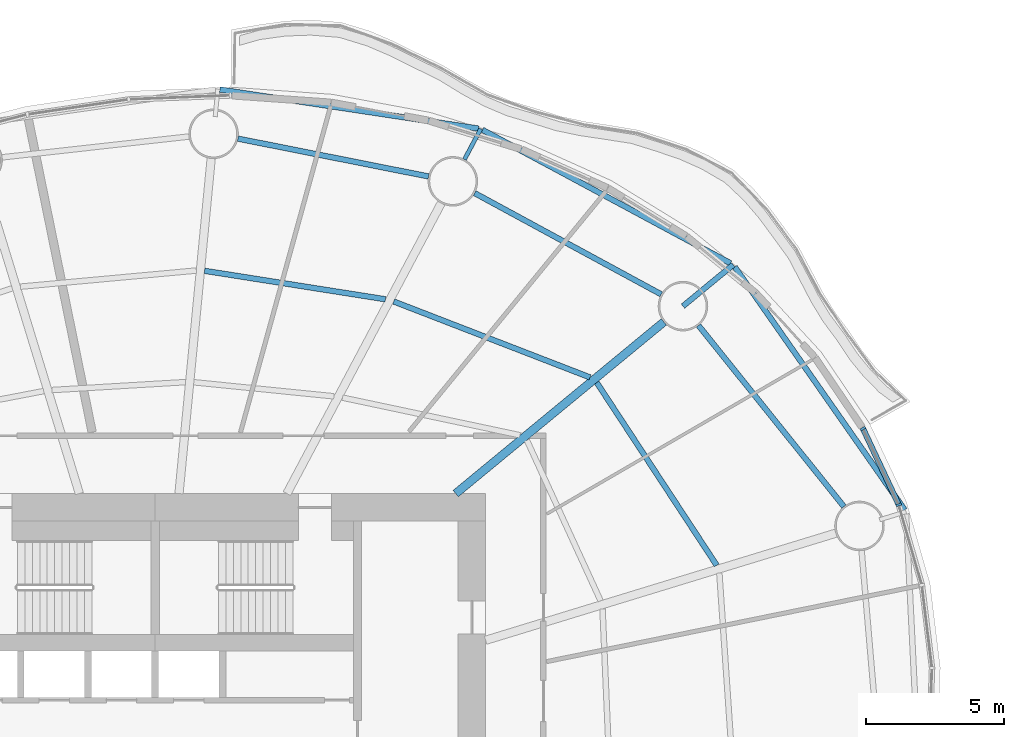
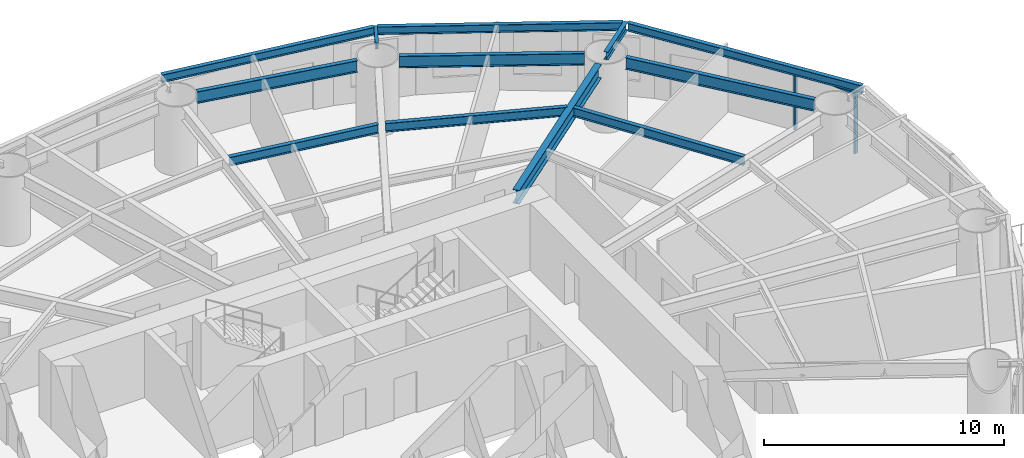
# One storey, part 6 of 16: 12 beams, 3 members, 1 element without a shape of its own.
"""IFC4 building model written with IfcOpenShell, lengths in metres."""

from ifc_helpers import new_model, si_unit, direction, frame, origin, origin_2d, place, context, subcontext, project, spatial, rectangle, i_section, extrude, material, material_profile, profile_set, type_object, element, aggregate, save


model = new_model("IFC4")

# Units and contexts
model_context = context("Model", 3, precision=1e-05, world=origin(), true_north=direction((0.0, 1.0)))
body_context = subcontext(model_context, "Body", "Model", "MODEL_VIEW")
ifc_project = project(units=[si_unit("LENGTHUNIT", "METRE"), si_unit("AREAUNIT", "SQUARE_METRE"), si_unit("VOLUMEUNIT", "CUBIC_METRE"), si_unit("PLANEANGLEUNIT", "RADIAN"), si_unit("MASSUNIT", "GRAM", prefix="KILO")], contexts=[model_context])

# Site, building, storey
site_placement = place(None, origin())
site = spatial("IfcSite", under=ifc_project, at=site_placement, CompositionType="ELEMENT")
building_placement = place(site_placement, origin())
building = spatial("IfcBuilding", under=site, at=building_placement, Name="Vermilion Reach Broadcast Tower", CompositionType="ELEMENT")
storey_placement = place(building_placement, frame((0.0, 0.0, 80.39990234375)))
storey = spatial("IfcBuildingStorey", under=building, at=storey_placement, Name="L17", CompositionType="ELEMENT", Elevation=80.39990234375)

# Beams
ifc_material_1 = material(Name="Steel S355J2", Category="steel")
ifc_material_profile_1 = material_profile(ifc_material_1, i_section(OverallWidth=0.199951171875, OverallDepth=0.39990234375, WebThickness=0.008056640625, FlangeThickness=0.012939453125, at=origin_2d()), Name="S355J2 HN 400x200x8x13")
ifc_profile_set_1 = profile_set([ifc_material_profile_1], Name="Steel S355J2")
beam_type_1 = type_object("IfcBeamType", Name="EB1 HN 400x200x8x13", PredefinedType="BEAM", material=ifc_profile_set_1)
beam_1_placement = place(storey_placement, frame((21.218505859375, 8.405029296875, 3.300048828125), z_axis=(-0.573165524951, 0.81943961401, 0.0), x_axis=(-0.81943961401, -0.573165524951, 0.0)))
element("IfcBeam", 1, at=beam_1_placement, inside=storey, type_object=beam_type_1, Name="Edge beam EB1-01", PredefinedType="BEAM", context=body_context, shape_type="SweptSolid", body=[
    extrude(i_section(OverallWidth=0.199951171875, OverallDepth=0.39990234375, WebThickness=0.008056640625, FlangeThickness=0.012939453125, at=origin_2d()), origin(), (0.0, 0.0, 1.0), 10.765869140625),
])
beam_2_placement = place(storey_placement, frame((14.895263671875, 17.3603515625, 3.300048828125), z_axis=(-0.880681774004, 0.473708362748, 0.0), x_axis=(-0.473708362748, -0.880681774004, 0.0)))
element("IfcBeam", 2, at=beam_2_placement, inside=storey, type_object=beam_type_1, Name="Edge beam EB1-02", PredefinedType="BEAM", context=body_context, shape_type="SweptSolid", body=[
    extrude(i_section(OverallWidth=0.199951171875, OverallDepth=0.39990234375, WebThickness=0.008056640625, FlangeThickness=0.012939453125, at=origin_2d()), origin(), (0.0, 0.0, 1.0), 10.228759765625),
])
beam_3_placement = place(storey_placement, frame((5.742431640625, 22.253173828125, 3.300048828125), z_axis=(-0.988786343187, 0.149337093606, 0.0), x_axis=(-0.149337093606, -0.988786343187, 0.0)))
element("IfcBeam", 3, at=beam_3_placement, inside=storey, type_object=beam_type_1, Name="Edge beam EB1-03", PredefinedType="BEAM", context=body_context, shape_type="SweptSolid", body=[
    extrude(i_section(OverallWidth=0.199951171875, OverallDepth=0.39990234375, WebThickness=0.008056640625, FlangeThickness=0.012939453125, at=origin_2d()), origin(), (0.0, 0.0, 1.0), 9.498291015625),
])
ifc_material_2 = material(Name="Steel S355J2", Category="steel")
ifc_material_profile_2 = material_profile(ifc_material_2, i_section(OverallWidth=0.300048828125, OverallDepth=0.699951171875, WebThickness=0.012939453125, FlangeThickness=0.02392578125, at=origin_2d()), Name="S355J2 HN 700x300x13x24")
ifc_profile_set_2 = profile_set([ifc_material_profile_2], Name="Steel S355J2")
beam_type_2 = type_object("IfcBeamType", Name="G1 HN 700x300x13x24", PredefinedType="BEAM", material=ifc_profile_set_2)
beam_4_placement = place(storey_placement, frame((4.9140625, 9.0, 3.150146484375), z_axis=(0.771514256373, 0.636212034005, 0.0), x_axis=(-0.636212034005, 0.771514256373, 0.0)))
element("IfcBeam", 4, at=beam_4_placement, inside=storey, type_object=beam_type_2, Name="Girder G1-02", PredefinedType="BEAM", context=body_context, shape_type="SweptSolid", body=[
    extrude(i_section(OverallWidth=0.300048828125, OverallDepth=0.699951171875, WebThickness=0.012939453125, FlangeThickness=0.02392578125, at=origin_2d()), origin(), (0.0, 0.0, 1.0), 9.796142578125),
])
ifc_material_3 = material(Name="Steel S355J2", Category="steel")
ifc_material_profile_3 = material_profile(ifc_material_3, i_section(OverallWidth=0.199951171875, OverallDepth=0.39990234375, WebThickness=0.008056640625, FlangeThickness=0.012939453125, at=origin_2d()), Name="S355J2 HN 400x200x8x13")
ifc_profile_set_3 = profile_set([ifc_material_profile_3], Name="Steel S355J2")
beam_type_3 = type_object("IfcBeamType", Name="GC1 HN 400x200x8x13", PredefinedType="BEAM", material=ifc_profile_set_3)
beam_5_placement = place(storey_placement, frame((13.166259765625, 15.804931640625, 3.300048828125), z_axis=(0.771494908414, 0.636235495938, 0.0), x_axis=(-0.636235495938, 0.771494908414, 0.0)))
element("IfcBeam", 5, at=beam_5_placement, inside=storey, type_object=beam_type_3, Name="Cantilever girder GC1-02", PredefinedType="BEAM", context=body_context, shape_type="SweptSolid", body=[
    extrude(i_section(OverallWidth=0.199951171875, OverallDepth=0.39990234375, WebThickness=0.008056640625, FlangeThickness=0.012939453125, at=origin_2d()), origin(), (0.0, 0.0, 1.0), 2.364501953125),
])
ifc_material_4 = material(Name="Steel S355J2", Category="steel")
ifc_material_profile_4 = material_profile(ifc_material_4, i_section(OverallWidth=0.14990234375, OverallDepth=0.300048828125, WebThickness=0.006591796875, FlangeThickness=0.009033203125, at=origin_2d()), Name="S355J2 HN 300x150x6.5x9")
ifc_profile_set_4 = profile_set([ifc_material_profile_4], Name="Steel S355J2")
beam_type_4 = type_object("IfcBeamType", Name="GS1 HN 300x150x6.5x9", PredefinedType="BEAM", material=ifc_profile_set_4)
beam_6_placement = place(storey_placement, frame((5.232177734375, 21.1337890625, 3.35009765625), z_axis=(0.469416078172, 0.882977092315, 0.0), x_axis=(-0.882977092315, 0.469416078172, 0.0)))
element("IfcBeam", 6, at=beam_6_placement, inside=storey, type_object=beam_type_4, Name="Cantilever stub GS1-03", PredefinedType="BEAM", context=body_context, shape_type="SweptSolid", body=[
    extrude(i_section(OverallWidth=0.14990234375, OverallDepth=0.300048828125, WebThickness=0.006591796875, FlangeThickness=0.009033203125, at=origin_2d()), origin(), (0.0, 0.0, 1.0), 1.25439453125),
])
ifc_material_5 = material(Name="Steel S355J2", Category="steel")
ifc_material_profile_5 = material_profile(ifc_material_5, i_section(OverallWidth=0.199951171875, OverallDepth=0.60009765625, WebThickness=0.010986328125, FlangeThickness=0.01708984375, at=origin_2d()), Name="S355J2 HN 600x200x11x17")
ifc_profile_set_5 = profile_set([ifc_material_profile_5], Name="Steel S355J2")
beam_type_5 = type_object("IfcBeamType", Name="RB1 HN 600x200x11x17", PredefinedType="BEAM", material=ifc_profile_set_5)
beam_7_placement = place(storey_placement, frame((19.011962890625, 8.52587890625, 3.2001953125), z_axis=(-0.626162157191, 0.779692858055, 0.0), x_axis=(-0.779692858055, -0.626162157191, 0.0)))
element("IfcBeam", 7, at=beam_7_placement, inside=storey, type_object=beam_type_5, Name="Ring beam RB1-01", PredefinedType="BEAM", context=body_context, shape_type="SweptSolid", body=[
    extrude(i_section(OverallWidth=0.199951171875, OverallDepth=0.60009765625, WebThickness=0.010986328125, FlangeThickness=0.01708984375, at=origin_2d()), origin(), (0.0, 0.0, 1.0), 8.435791015625),
])
beam_8_placement = place(storey_placement, frame((12.375244140625, 16.234130859375, 3.2001953125), z_axis=(-0.878962319551, 0.476891225344, 0.0), x_axis=(-0.476891225344, -0.878962319551, 0.0)))
element("IfcBeam", 8, at=beam_8_placement, inside=storey, type_object=beam_type_5, Name="Ring beam RB1-02", PredefinedType="BEAM", context=body_context, shape_type="SweptSolid", body=[
    extrude(i_section(OverallWidth=0.199951171875, OverallDepth=0.60009765625, WebThickness=0.010986328125, FlangeThickness=0.01708984375, at=origin_2d()), origin(), (0.0, 0.0, 1.0), 7.707275390625),
])
beam_9_placement = place(storey_placement, frame((3.927001953125, 20.51416015625, 3.2001953125), z_axis=(-0.980857717995, 0.194725799651, 0.0), x_axis=(-0.194725799651, -0.980857717995, 0.0)))
element("IfcBeam", 9, at=beam_9_placement, inside=storey, type_object=beam_type_5, Name="Ring beam RB1-03", PredefinedType="BEAM", context=body_context, shape_type="SweptSolid", body=[
    extrude(i_section(OverallWidth=0.199951171875, OverallDepth=0.60009765625, WebThickness=0.010986328125, FlangeThickness=0.01708984375, at=origin_2d()), origin(), (0.0, 0.0, 1.0), 7.05859375),
])
ifc_material_6 = material(Name="Steel S355J2", Category="steel")
ifc_material_profile_6 = material_profile(ifc_material_6, i_section(OverallWidth=0.199951171875, OverallDepth=0.449951171875, WebThickness=0.009033203125, FlangeThickness=0.013916015625, at=origin_2d()), Name="S355J2 HN 450x200x9x14")
ifc_profile_set_6 = profile_set([ifc_material_profile_6], Name="Steel S355J2")
beam_type_6 = type_object("IfcBeamType", Name="SB1 HN 450x200x9x14", PredefinedType="BEAM", material=ifc_profile_set_6)
beam_10_placement = place(storey_placement, frame((14.390625, 6.394775390625, 3.275146484375), z_axis=(-0.548800909102, 0.835953086105, 0.0), x_axis=(-0.835953086105, -0.548800909102, 0.0)))
element("IfcBeam", 10, at=beam_10_placement, inside=storey, type_object=beam_type_6, Name="Secondary beam SB1-01-2", PredefinedType="BEAM", context=body_context, shape_type="SweptSolid", body=[
    extrude(i_section(OverallWidth=0.199951171875, OverallDepth=0.449951171875, WebThickness=0.009033203125, FlangeThickness=0.013916015625, at=origin_2d()), origin(), (0.0, 0.0, 1.0), 7.935791015625),
])
beam_11_placement = place(storey_placement, frame((9.7919921875, 13.217041015625, 3.275146484375), z_axis=(-0.932680743753, 0.360702966765, 0.0), x_axis=(-0.360702966765, -0.932680743753, 0.0)))
element("IfcBeam", 11, at=beam_11_placement, inside=storey, type_object=beam_type_6, Name="Secondary beam SB1-02-2", PredefinedType="BEAM", context=body_context, shape_type="SweptSolid", body=[
    extrude(i_section(OverallWidth=0.199951171875, OverallDepth=0.449951171875, WebThickness=0.009033203125, FlangeThickness=0.013916015625, at=origin_2d()), origin(), (0.0, 0.0, 1.0), 7.646240234375),
])
beam_12_placement = place(storey_placement, frame((2.36279296875, 16.05419921875, 3.275146484375), z_axis=(-0.987829548379, 0.155540294938, 0.0), x_axis=(-0.155540294938, -0.987829548379, 0.0)))
element("IfcBeam", 12, at=beam_12_placement, inside=storey, type_object=beam_type_6, Name="Secondary beam SB1-03-2", PredefinedType="BEAM", context=body_context, shape_type="SweptSolid", body=[
    extrude(i_section(OverallWidth=0.199951171875, OverallDepth=0.449951171875, WebThickness=0.009033203125, FlangeThickness=0.013916015625, at=origin_2d()), origin(), (0.0, 0.0, 1.0), 6.650634765625),
])

# Curtain wall, members
ifc_material_7 = material(Name="Low-e laminated clear glass in aluminium frame", Category="aluminium")
curtain_wall_type = type_object("IfcCurtainWallType", Name="Slot curtain wall", PredefinedType="NOTDEFINED", material=ifc_material_7)
curtain_wall_placement = place(storey_placement, origin())
curtain_wall = element("IfcCurtainWall", 13, at=curtain_wall_placement, inside=storey, type_object=curtain_wall_type, Name="Slot curtain wall L17 01", PredefinedType="NOTDEFINED")
ifc_material_8 = material(Name="Anodised aluminium", Category="aluminium")
ifc_material_profile_7 = material_profile(ifc_material_8, rectangle(XDim=0.199951171875, YDim=0.080078125, at=origin_2d()), Name="Slot mullion 80 x 200")
ifc_profile_set_7 = profile_set([ifc_material_profile_7], Name="Anodised aluminium")
member_type_1 = type_object("IfcMemberType", Name="Slot mullion 80 x 200", PredefinedType="MULLION", material=ifc_profile_set_7)
member_1_placement = place(storey_placement, frame((21.003173828125, 8.58984375, 0.0), z_axis=(0.0, 0.0, 1.0), x_axis=(-0.935882096668, -0.352313356455, 0.0)))
member_1 = element("IfcMember", 14, at=member_1_placement, type_object=member_type_1, Name="Slot mullion L17 01", PredefinedType="MULLION", context=body_context, shape_type="SweptSolid", body=[
    extrude(rectangle(XDim=0.199951171875, YDim=0.080078125, at=origin_2d()), origin(), (0.0, 0.0, 1.0), 3.10009765625),
])
member_2_placement = place(storey_placement, frame((19.7021484375, 11.35888671875, 0.0), z_axis=(0.0, 0.0, 1.0), x_axis=(-0.869551556371, -0.493842171967, 0.0)))
member_2 = element("IfcMember", 15, at=member_2_placement, type_object=member_type_1, Name="Slot mullion L17 02", PredefinedType="MULLION", context=body_context, shape_type="SweptSolid", body=[
    extrude(rectangle(XDim=0.199951171875, YDim=0.080078125, at=origin_2d()), origin(), (0.0, 0.0, 1.0), 3.10009765625),
])
ifc_material_9 = material(Name="Anodised aluminium", Category="aluminium")
ifc_material_profile_8 = material_profile(ifc_material_9, rectangle(XDim=0.199951171875, YDim=0.10009765625, at=origin_2d()), Name="Slot transom 200 x 100")
ifc_profile_set_8 = profile_set([ifc_material_profile_8], Name="Anodised aluminium")
member_type_2 = type_object("IfcMemberType", Name="Slot transom 200 x 100", PredefinedType="USERDEFINED", material=ifc_profile_set_8)
member_3_placement = place(storey_placement, frame((20.986083984375, 8.6259765625, 3.050048828125), z_axis=(-0.425185292569, 0.905106329103, 0.0), x_axis=(-0.905106329103, -0.425185292569, 0.0)))
member_3 = element("IfcMember", 16, at=member_3_placement, type_object=member_type_2, Name="Slot transom L17 01.1", ObjectType="TRANSOM", PredefinedType="USERDEFINED", context=body_context, shape_type="SweptSolid", body=[
    extrude(rectangle(XDim=0.199951171875, YDim=0.10009765625, at=origin_2d()), origin(), (0.0, 0.0, 1.0), 2.9794921875),
])
aggregate(curtain_wall, [member_1, member_2, member_3])

save(model, "model.ifc")
